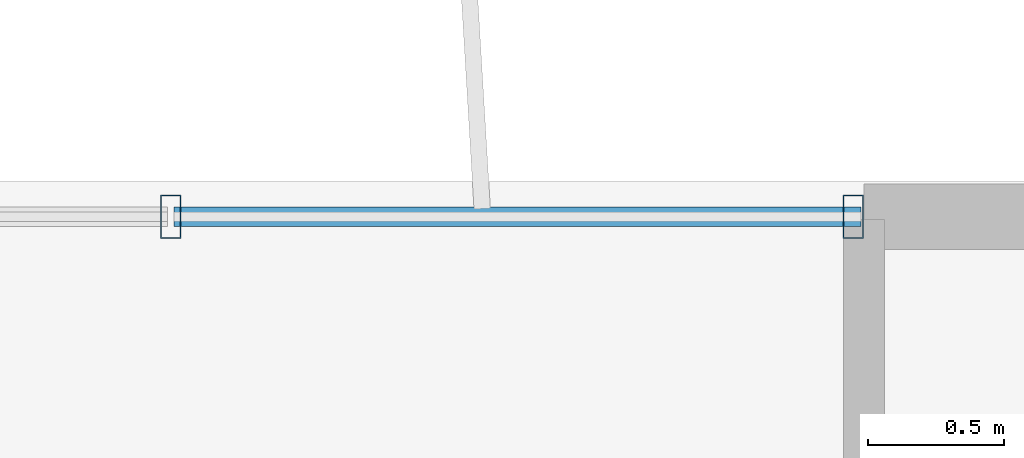
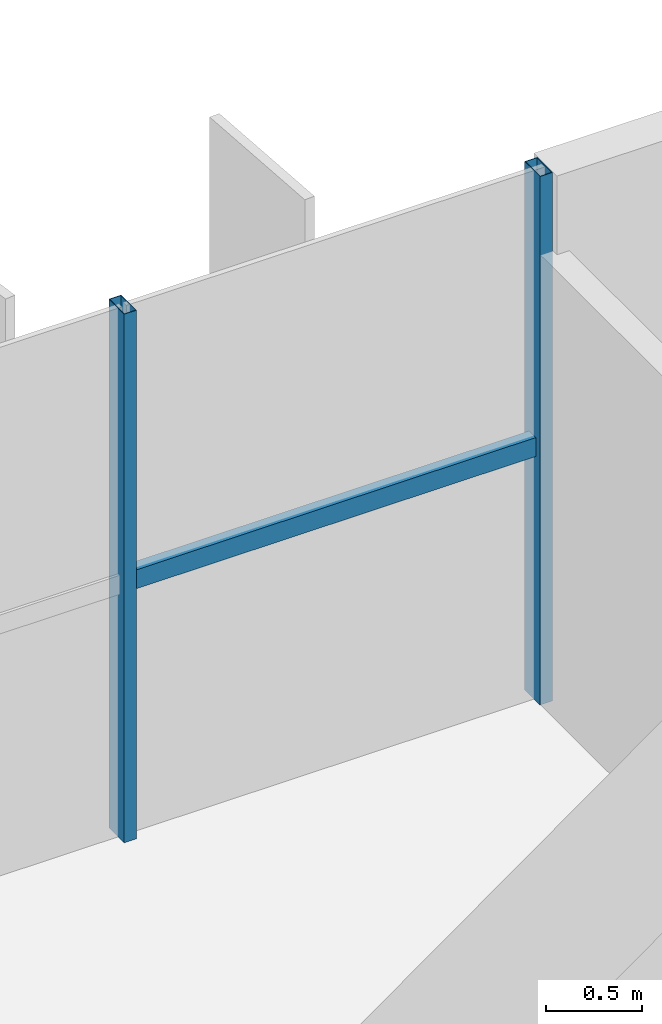
# One storey, part 18 of 27: 3 members, 1 element without a shape of its own.
"""IFC4 building model written with IfcOpenShell, lengths in metres."""

from ifc_helpers import new_model, si_unit, direction, frame, origin, origin_2d, place, context, subcontext, project, spatial, hollow_rectangle, extrude, source, transform, mapped, material, material_profile, profile_set, type_object, element, aggregate, save


model = new_model("IFC4")

# Units and contexts
model_context = context("Model", 3, precision=1e-05, world=origin(), true_north=direction((0.0, 1.0)))
body_context = subcontext(model_context, "Body", "Model", "MODEL_VIEW")
ifc_project = project(units=[si_unit("LENGTHUNIT", "METRE"), si_unit("AREAUNIT", "SQUARE_METRE"), si_unit("VOLUMEUNIT", "CUBIC_METRE"), si_unit("PLANEANGLEUNIT", "RADIAN"), si_unit("MASSUNIT", "GRAM", prefix="KILO")], contexts=[model_context])

# Site, building, storey
site_placement = place(None, origin())
site = spatial("IfcSite", under=ifc_project, at=site_placement, CompositionType="ELEMENT")
building_placement = place(site_placement, origin())
building = spatial("IfcBuilding", under=site, at=building_placement, Name="Trelvane Seafront Commons", CompositionType="ELEMENT")
storey_placement = place(building_placement, frame((0.0, 0.0, 233.699951171875)))
storey = spatial("IfcBuildingStorey", under=building, at=storey_placement, Name="L61", CompositionType="ELEMENT", Elevation=233.699951171875)

# Curtain wall, members
ifc_material = material(Name="Anodised pale-silver aluminium", Category="aluminium")
curtain_wall_type = type_object("IfcCurtainWallType", Name="ARCH-CW5-UPTOWER", PredefinedType="NOTDEFINED", material=ifc_material)
curtain_wall_placement = place(storey_placement, origin())
curtain_wall = element("IfcCurtainWall", 1, at=curtain_wall_placement, inside=storey, type_object=curtain_wall_type, Name="CW-L61-0104", PredefinedType="NOTDEFINED")
ifc_material_profile_1 = material_profile(ifc_material, hollow_rectangle(XDim=0.070068359375, YDim=0.1201171875, WallThickness=0.00390625, at=origin_2d()), Name="TRAN-70x120x4")
ifc_profile_set_1 = profile_set([ifc_material_profile_1], Name="Anodised pale-silver aluminium")
member_type_1 = type_object("IfcMemberType", Name="ARCH-CW-TRAN-120", PredefinedType="USERDEFINED", material=ifc_profile_set_1)
shared_shape_1 = source(origin(), body_context, "Body", "SweptSolid", [
    extrude(hollow_rectangle(XDim=0.070068359375, YDim=0.1201171875, WallThickness=0.00390625, at=origin_2d()), origin(), (0.0, 0.0, 1.0), 2.517333984375),
])
member_1_placement = place(storey_placement, frame((56.270751953125, 48.3701171875, 1.613037109375), z_axis=(1.0, 0.0, 0.0), x_axis=(0.0, 1.0, 0.0)))
member_1 = element("IfcMember", 2, at=member_1_placement, type_object=member_type_1, Name="CW-L61-0104-T16", ObjectType="TRANSOM", PredefinedType="USERDEFINED", context=body_context, shape_type="MappedRepresentation", body=[
    mapped(shared_shape_1, transform((0.0, 0.0, 0.0), x_axis=(1.0, 0.0, 0.0), y_axis=(0.0, 1.0, 0.0), z_axis=(0.0, 0.0, 1.0), scale=1.0)),
])
ifc_material_profile_2 = material_profile(ifc_material, hollow_rectangle(XDim=0.074951171875, YDim=0.159912109375, WallThickness=0.00390625, at=origin_2d()), Name="MULL-75x160x4")
ifc_profile_set_2 = profile_set([ifc_material_profile_2], Name="Anodised pale-silver aluminium")
member_type_2 = type_object("IfcMemberType", Name="ARCH-CW-MULL-160", PredefinedType="MULLION", material=ifc_profile_set_2)
shared_shape_2 = source(origin(), body_context, "Body", "SweptSolid", [
    extrude(hollow_rectangle(XDim=0.074951171875, YDim=0.159912109375, WallThickness=0.00390625, at=origin_2d()), origin(), (0.0, 0.0, 1.0), 3.360107421875),
])
member_2_placement = place(storey_placement, frame((56.2587890625, 48.3701171875, 0.0), z_axis=(0.0, 0.0, 1.0), x_axis=(1.0, 0.0, 0.0)))
member_2 = element("IfcMember", 3, at=member_2_placement, type_object=member_type_2, Name="CW-L61-0104-M16", PredefinedType="MULLION", context=body_context, shape_type="MappedRepresentation", body=[
    mapped(shared_shape_2, transform((0.0, 0.0, 0.0), x_axis=(1.0, 0.0, 0.0), y_axis=(0.0, 1.0, 0.0), z_axis=(0.0, 0.0, 1.0), scale=1.0)),
])
member_3_placement = place(storey_placement, frame((58.760009765625, 48.3701171875, 0.0), z_axis=(0.0, 0.0, 1.0), x_axis=(1.0, 0.0, 0.0)))
member_3 = element("IfcMember", 4, at=member_3_placement, type_object=member_type_2, Name="CW-L61-0104-M17", PredefinedType="MULLION", context=body_context, shape_type="MappedRepresentation", body=[
    mapped(shared_shape_2, transform((0.0, 0.0, 0.0), x_axis=(1.0, 0.0, 0.0), y_axis=(0.0, 1.0, 0.0), z_axis=(0.0, 0.0, 1.0), scale=1.0)),
])
aggregate(curtain_wall, [member_2, member_3, member_1])

save(model, "model.ifc")
